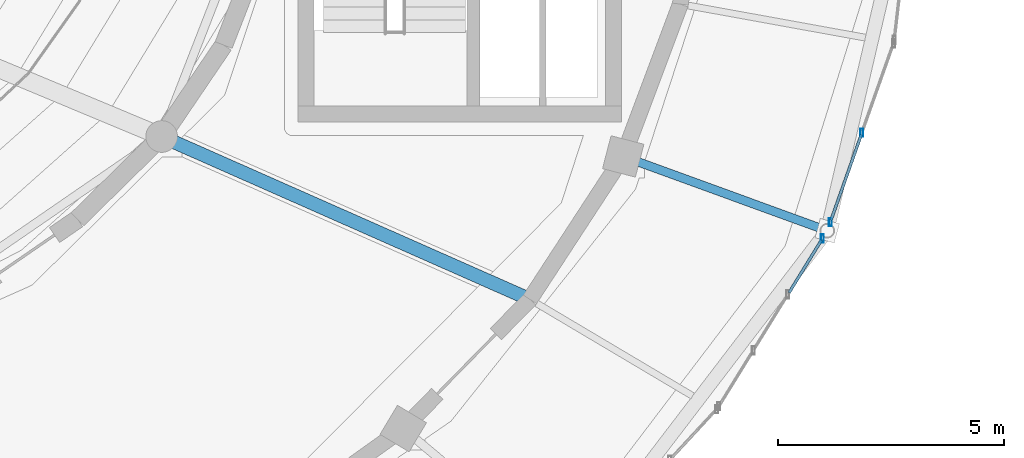
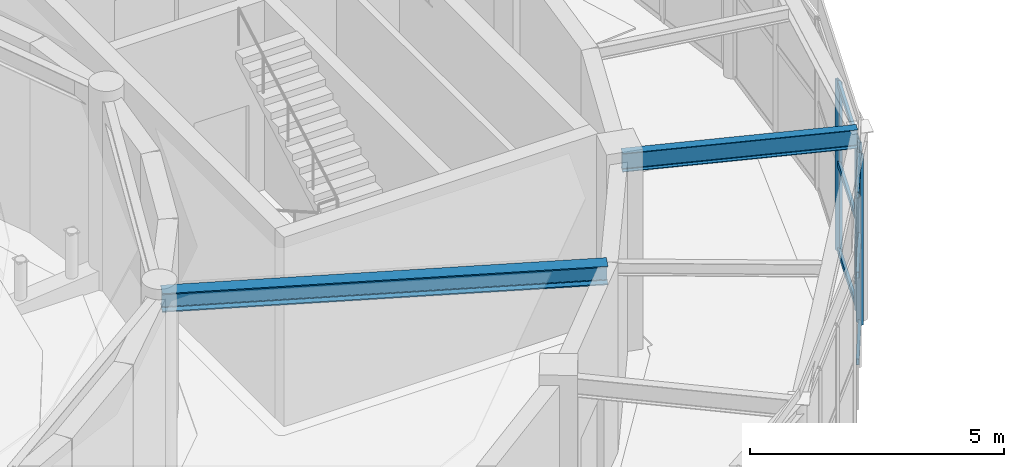
# One storey, part 46 of 108: 9 members, 2 beams, 2 elements without a shape of their own.
"""IFC4 building model written with IfcOpenShell, lengths in metres."""

from ifc_helpers import new_model, si_unit, direction, frame, origin, origin_2d, place, context, subcontext, project, spatial, hollow_rectangle, i_section, extrude, material, material_profile, profile_set, type_object, element, aggregate, save


model = new_model("IFC4")

# Units and contexts
model_context = context("Model", 3, precision=1e-05, world=origin(), true_north=direction((0.0, 1.0)))
body_context = subcontext(model_context, "Body", "Model", "MODEL_VIEW")
ifc_project = project(units=[si_unit("LENGTHUNIT", "METRE"), si_unit("AREAUNIT", "SQUARE_METRE"), si_unit("VOLUMEUNIT", "CUBIC_METRE"), si_unit("PLANEANGLEUNIT", "RADIAN"), si_unit("MASSUNIT", "GRAM", prefix="KILO")], contexts=[model_context])

# Site, building, storey
site_placement = place(None, origin())
site = spatial("IfcSite", under=ifc_project, at=site_placement, CompositionType="ELEMENT")
building_placement = place(site_placement, origin())
building = spatial("IfcBuilding", under=site, at=building_placement, Name="Tarnveldt Headland Concert Hall", CompositionType="ELEMENT")
storey_placement = place(building_placement, frame((0.0, 0.0, 9.60009765625)))
storey = spatial("IfcBuildingStorey", under=building, at=storey_placement, Name="L02", CompositionType="ELEMENT", Elevation=9.60009765625)

# Curtain wall, member
ifc_material_1 = material(Name="Marine-anodised aluminium EN AW-6063-T6", Category="aluminium")
curtain_wall_type = type_object("IfcCurtainWallType", Name="CW-F3", PredefinedType="NOTDEFINED", material=ifc_material_1)
curtain_wall_1_placement = place(storey_placement, origin())
curtain_wall_1 = element("IfcCurtainWall", 1, at=curtain_wall_1_placement, inside=storey, type_object=curtain_wall_type, Name="Curtain wall CW-L02-092", PredefinedType="NOTDEFINED")
ifc_material_profile_1 = material_profile(ifc_material_1, hollow_rectangle(XDim=0.06494140625, YDim=0.179931640625, WallThickness=0.00390625, at=origin_2d()), Name="ALU MULLION 65x180x4", Category="aluminium")
ifc_profile_set_1 = profile_set([ifc_material_profile_1], Name="Marine-anodised aluminium EN AW-6063-T6")
member_type_1 = type_object("IfcMemberType", Name="ML-180", PredefinedType="MULLION", material=ifc_profile_set_1)
member_1_placement = place(storey_placement, frame((114.2158203125, 45.845947265625, 0.0), z_axis=(0.0, 0.0, 1.0), x_axis=(1.0, 0.0, 0.0)))
member_1 = element("IfcMember", 2, at=member_1_placement, type_object=member_type_1, Name="Mullion CW-L02-092-4", PredefinedType="MULLION", context=body_context, shape_type="SweptSolid", body=[
    extrude(hollow_rectangle(XDim=0.06494140625, YDim=0.179931640625, WallThickness=0.00390625, at=origin_2d()), origin(), (0.0, 0.0, 1.0), 4.10791015625),
])

# Curtain wall, members
curtain_wall_2_placement = place(storey_placement, origin())
curtain_wall_2 = element("IfcCurtainWall", 3, at=curtain_wall_2_placement, inside=storey, type_object=curtain_wall_type, Name="Curtain wall CW-L02-093", PredefinedType="NOTDEFINED")
member_2_placement = place(storey_placement, frame((114.389404296875, 46.208251953125, 0.0), z_axis=(0.0, 0.0, 1.0), x_axis=(1.0, 0.0, 0.0)))
member_2 = element("IfcMember", 4, at=member_2_placement, type_object=member_type_1, Name="Mullion CW-L02-093-1", PredefinedType="MULLION", context=body_context, shape_type="SweptSolid", body=[
    extrude(hollow_rectangle(XDim=0.06494140625, YDim=0.179931640625, WallThickness=0.00390625, at=origin_2d()), origin(), (0.0, 0.0, 1.0), 4.10791015625),
])
member_3_placement = place(storey_placement, frame((115.0888671875, 48.18212890625, 0.0), z_axis=(0.0, 0.0, 1.0), x_axis=(1.0, 0.0, 0.0)))
member_3 = element("IfcMember", 5, at=member_3_placement, type_object=member_type_1, Name="Mullion CW-L02-093-2", PredefinedType="MULLION", context=body_context, shape_type="SweptSolid", body=[
    extrude(hollow_rectangle(XDim=0.06494140625, YDim=0.179931640625, WallThickness=0.00390625, at=origin_2d()), origin(), (0.0, 0.0, 1.0), 4.10791015625),
])

# Beams
ifc_material_2 = material(Name="Steel S355", Category="steel")
ifc_material_profile_2 = material_profile(ifc_material_2, i_section(OverallWidth=0.300048828125, OverallDepth=0.449951171875, WebThickness=0.013916015625, FlangeThickness=0.02587890625, FilletRadius=0.027099609375, at=origin_2d()), Name="HEB450", Category="steel")
ifc_profile_set_2 = profile_set([ifc_material_profile_2], Name="Steel S355")
beam_type_1 = type_object("IfcBeamType", Name="SB-HEB450", PredefinedType="BEAM", material=ifc_profile_set_2)
beam_1_placement = place(storey_placement, frame((99.644775390625, 48.083740234375, 4.324951171875), z_axis=(0.91456211397, -0.404445471839, 0.0), x_axis=(0.404445471839, 0.91456211397, 0.0)))
element("IfcBeam", 6, at=beam_1_placement, inside=storey, type_object=beam_type_1, Name="Framing beam L02-1071", PredefinedType="BEAM", context=body_context, shape_type="SweptSolid", body=[
    extrude(i_section(OverallWidth=0.300048828125, OverallDepth=0.449951171875, WebThickness=0.013916015625, FlangeThickness=0.02587890625, FilletRadius=0.027099609375, at=origin_2d()), origin(), (0.0, 0.0, 1.0), 8.821044921875),
])
ifc_material_profile_3 = material_profile(ifc_material_2, i_section(OverallWidth=0.18994140625, OverallDepth=0.449951171875, WebThickness=0.009521484375, FlangeThickness=0.0146484375, FilletRadius=0.02099609375, at=origin_2d()), Name="IPE450", Category="steel")
ifc_profile_set_3 = profile_set([ifc_material_profile_3], Name="Steel S355")
beam_type_2 = type_object("IfcBeamType", Name="SB-IPE450", PredefinedType="BEAM", material=ifc_profile_set_3)
beam_2_placement = place(storey_placement, frame((109.84912109375, 47.64599609375, 4.344970703125), z_axis=(0.939673545823, -0.34207254681, 0.0), x_axis=(0.34207254681, 0.939673545823, 0.0)))
element("IfcBeam", 7, at=beam_2_placement, inside=storey, type_object=beam_type_2, Name="Framing beam L02-1047", PredefinedType="BEAM", context=body_context, shape_type="SweptSolid", body=[
    extrude(i_section(OverallWidth=0.18994140625, OverallDepth=0.449951171875, WebThickness=0.009521484375, FlangeThickness=0.0146484375, FilletRadius=0.02099609375, at=origin_2d()), origin(), (0.0, 0.0, 1.0), 4.69970703125),
])

# Member
ifc_material_profile_4 = material_profile(ifc_material_1, hollow_rectangle(XDim=0.06494140625, YDim=0.139892578125, WallThickness=0.00390625, at=origin_2d()), Name="ALU TRANSOM 65x140x4", Category="aluminium")
ifc_profile_set_4 = profile_set([ifc_material_profile_4], Name="Marine-anodised aluminium EN AW-6063-T6")
member_type_2 = type_object("IfcMemberType", Name="TR-140", PredefinedType="MEMBER", material=ifc_profile_set_4)
member_4_placement = place(storey_placement, frame((113.476318359375, 44.646484375, 0.0498046875), z_axis=(0.524746114074, 0.851258783076, 0.0), x_axis=(-0.851258783076, 0.524746114074, 0.0)))
member_4 = element("IfcMember", 8, at=member_4_placement, type_object=member_type_2, Name="Transom CW-L02-092-3-1", PredefinedType="MEMBER", context=body_context, shape_type="SweptSolid", body=[
    extrude(hollow_rectangle(XDim=0.06494140625, YDim=0.139892578125, WallThickness=0.00390625, at=origin_2d()), origin(), (0.0, 0.0, 1.0), 1.364501953125),
])

member_5_placement = place(storey_placement, frame((113.476318359375, 44.646484375, 2.135986328125), z_axis=(0.524746114074, 0.851258783076, 0.0), x_axis=(-0.851258783076, 0.524746114074, 0.0)))
member_5 = element("IfcMember", 9, at=member_5_placement, type_object=member_type_2, Name="Transom CW-L02-092-3-2", PredefinedType="MEMBER", context=body_context, shape_type="SweptSolid", body=[
    extrude(hollow_rectangle(XDim=0.06494140625, YDim=0.139892578125, WallThickness=0.00390625, at=origin_2d()), origin(), (0.0, 0.0, 1.0), 1.364501953125),
])

member_6_placement = place(storey_placement, frame((113.476318359375, 44.646484375, 4.057861328125), z_axis=(0.524746114074, 0.851258783076, 0.0), x_axis=(-0.851258783076, 0.524746114074, 0.0)))
member_6 = element("IfcMember", 10, at=member_6_placement, type_object=member_type_2, Name="Transom CW-L02-092-3-3", PredefinedType="MEMBER", context=body_context, shape_type="SweptSolid", body=[
    extrude(hollow_rectangle(XDim=0.06494140625, YDim=0.139892578125, WallThickness=0.00390625, at=origin_2d()), origin(), (0.0, 0.0, 1.0), 1.364501953125),
])

aggregate(curtain_wall_1, [member_1, member_4, member_5, member_6])

member_7_placement = place(storey_placement, frame((114.404296875, 46.250244140625, 0.0498046875), z_axis=(0.333998157028, 0.942573727144, 0.0), x_axis=(-0.942573727144, 0.333998157028, 0.0)))
member_7 = element("IfcMember", 11, at=member_7_placement, type_object=member_type_2, Name="Transom CW-L02-093-1-1", PredefinedType="MEMBER", context=body_context, shape_type="SweptSolid", body=[
    extrude(hollow_rectangle(XDim=0.06494140625, YDim=0.139892578125, WallThickness=0.00390625, at=origin_2d()), origin(), (0.0, 0.0, 1.0), 2.005126953125),
])

member_8_placement = place(storey_placement, frame((114.404296875, 46.250244140625, 2.135986328125), z_axis=(0.333998157028, 0.942573727144, 0.0), x_axis=(-0.942573727144, 0.333998157028, 0.0)))
member_8 = element("IfcMember", 12, at=member_8_placement, type_object=member_type_2, Name="Transom CW-L02-093-1-2", PredefinedType="MEMBER", context=body_context, shape_type="SweptSolid", body=[
    extrude(hollow_rectangle(XDim=0.06494140625, YDim=0.139892578125, WallThickness=0.00390625, at=origin_2d()), origin(), (0.0, 0.0, 1.0), 2.005126953125),
])

member_9_placement = place(storey_placement, frame((114.404296875, 46.250244140625, 4.057861328125), z_axis=(0.333998157028, 0.942573727144, 0.0), x_axis=(-0.942573727144, 0.333998157028, 0.0)))
member_9 = element("IfcMember", 13, at=member_9_placement, type_object=member_type_2, Name="Transom CW-L02-093-1-3", PredefinedType="MEMBER", context=body_context, shape_type="SweptSolid", body=[
    extrude(hollow_rectangle(XDim=0.06494140625, YDim=0.139892578125, WallThickness=0.00390625, at=origin_2d()), origin(), (0.0, 0.0, 1.0), 2.005126953125),
])

aggregate(curtain_wall_2, [member_2, member_3, member_7, member_8, member_9])

save(model, "model.ifc")
